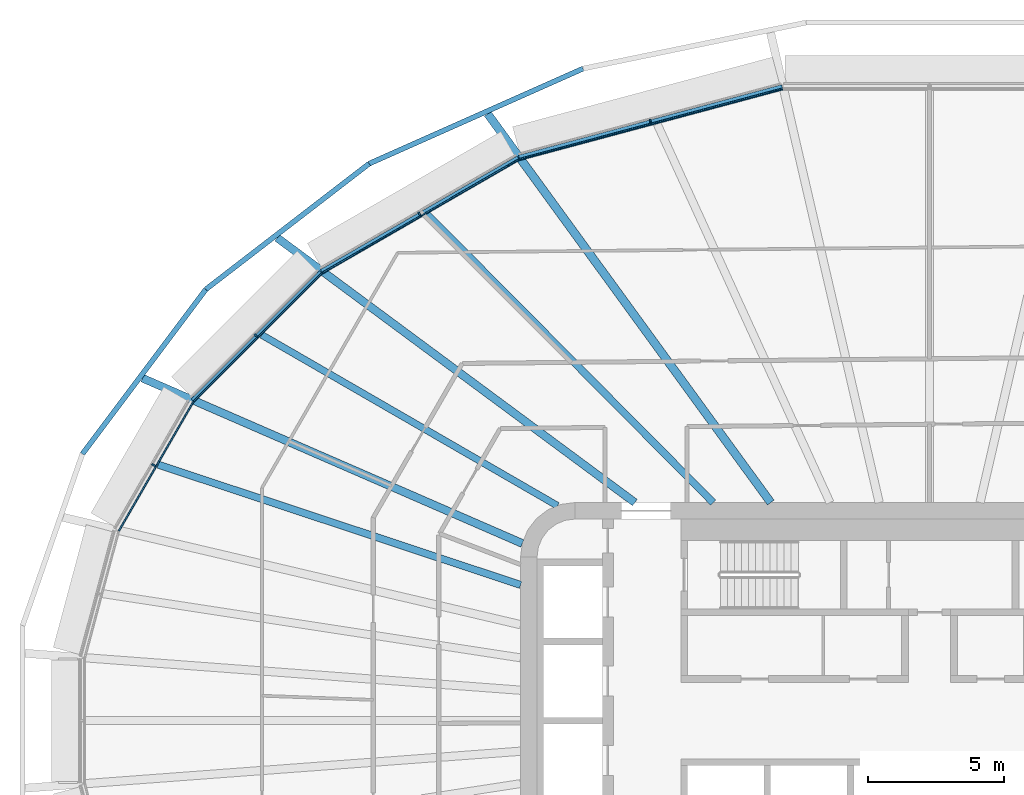
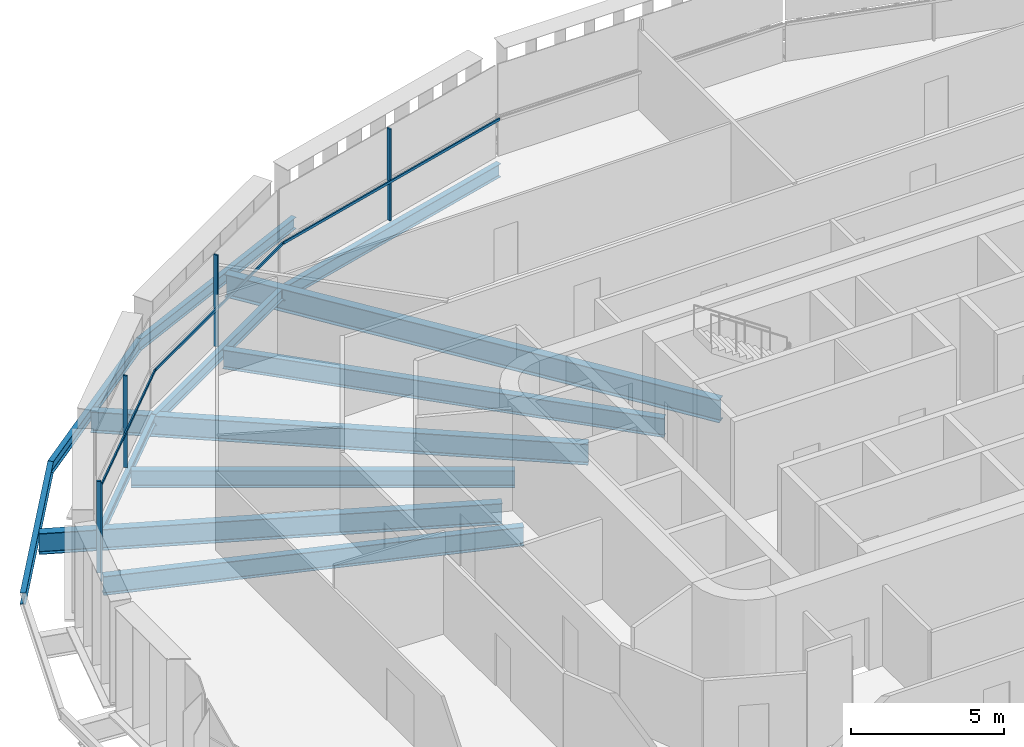
# One storey, part 7 of 24: 12 beams, 8 members, 4 elements without a shape of their own.
"""IFC4 building model written with IfcOpenShell, lengths in metres."""

from ifc_helpers import new_model, si_unit, direction, frame, origin, origin_2d, place, context, subcontext, project, spatial, rectangle, i_section, extrude, material, layer, layer_set, material_profile, profile_set, type_object, element, aggregate, save


model = new_model("IFC4")

# Units and contexts
model_context = context("Model", 3, precision=1e-05, world=origin(), true_north=direction((0.0, 1.0)))
body_context = subcontext(model_context, "Body", "Model", "MODEL_VIEW")
ifc_project = project(units=[si_unit("LENGTHUNIT", "METRE"), si_unit("AREAUNIT", "SQUARE_METRE"), si_unit("VOLUMEUNIT", "CUBIC_METRE"), si_unit("PLANEANGLEUNIT", "RADIAN"), si_unit("MASSUNIT", "GRAM", prefix="KILO")], contexts=[model_context])

# Site, building, storey
site_placement = place(None, origin())
site = spatial("IfcSite", under=ifc_project, at=site_placement, CompositionType="ELEMENT")
building_placement = place(site_placement, origin())
building = spatial("IfcBuilding", under=site, at=building_placement, Name="Sahrelin Media Tower", CompositionType="ELEMENT")
storey_placement = place(building_placement, frame((0.0, 0.0, 71.39990234375)))
storey = spatial("IfcBuildingStorey", under=building, at=storey_placement, Name="L12", CompositionType="ELEMENT", Elevation=71.39990234375)

# Beams
ifc_material_1 = material(Name="Steel S355", Category="steel")
ifc_material_profile_1 = material_profile(ifc_material_1, i_section(OverallWidth=0.17138671875, OverallDepth=0.35498046875, WebThickness=0.00732421875, FlangeThickness=0.011474609375, FilletRadius=0.01025390625, at=origin_2d()), Name="UB 356x171x51")
ifc_profile_set_1 = profile_set([ifc_material_profile_1], Name="Steel S355")
beam_type_1 = type_object("IfcBeamType", Name="Edge beam EB3", PredefinedType="BEAM", material=ifc_profile_set_1)
beam_1_placement = place(storey_placement, frame((-27.02001953125, 11.734130859375, -0.327392578125), z_axis=(0.707106781187, 0.707106781187, 0.0), x_axis=(-0.707106781187, 0.707106781187, 0.0)))
element("IfcBeam", 1, at=beam_1_placement, inside=storey, type_object=beam_type_1, Name="Edge beam L12-15", PredefinedType="BEAM", context=body_context, shape_type="SweptSolid", body=[
    extrude(i_section(OverallWidth=0.17138671875, OverallDepth=0.35498046875, WebThickness=0.00732421875, FlangeThickness=0.011474609375, FilletRadius=0.01025390625, at=origin_2d()), origin(), (0.0, 0.0, 1.0), 6.66015625),
])
ifc_material_profile_2 = material_profile(ifc_material_1, i_section(OverallWidth=0.1904296875, OverallDepth=0.45703125, WebThickness=0.009033203125, FlangeThickness=0.014404296875, FilletRadius=0.01025390625, at=origin_2d()), Name="UB 457x191x74")
ifc_profile_set_2 = profile_set([ifc_material_profile_2], Name="Steel S355")
beam_type_2 = type_object("IfcBeamType", Name="Edge beam EB5", PredefinedType="BEAM", material=ifc_profile_set_2)
beam_2_placement = place(storey_placement, frame((-22.28759765625, 16.461181640625, -0.37841796875), z_axis=(0.866018055373, 0.500012727605, 0.0), x_axis=(-0.500012727605, 0.866018055373, 0.0)))
element("IfcBeam", 2, at=beam_2_placement, inside=storey, type_object=beam_type_2, Name="Edge beam L12-16", PredefinedType="BEAM", context=body_context, shape_type="SweptSolid", body=[
    extrude(i_section(OverallWidth=0.1904296875, OverallDepth=0.45703125, WebThickness=0.009033203125, FlangeThickness=0.014404296875, FilletRadius=0.01025390625, at=origin_2d()), origin(), (0.0, 0.0, 1.0), 8.323974609375),
])
ifc_material_profile_3 = material_profile(ifc_material_1, i_section(OverallWidth=0.208740234375, OverallDepth=0.5283203125, WebThickness=0.009521484375, FlangeThickness=0.01318359375, FilletRadius=0.0126953125, at=origin_2d()), Name="UB 533x210x82")
ifc_profile_set_3 = profile_set([ifc_material_profile_3], Name="Steel S355")
beam_type_3 = type_object("IfcBeamType", Name="Edge beam EB6", PredefinedType="BEAM", material=ifc_profile_set_3)
beam_3_placement = place(storey_placement, frame((-15.05224609375, 20.63427734375, -0.4140625), z_axis=(0.965930606835, 0.258801203202, 0.0), x_axis=(-0.258801203202, 0.965930606835, 0.0)))
element("IfcBeam", 3, at=beam_3_placement, inside=storey, type_object=beam_type_3, Name="Edge beam L12-17", PredefinedType="BEAM", context=body_context, shape_type="SweptSolid", body=[
    extrude(i_section(OverallWidth=0.208740234375, OverallDepth=0.5283203125, WebThickness=0.009521484375, FlangeThickness=0.01318359375, FilletRadius=0.0126953125, at=origin_2d()), origin(), (0.0, 0.0, 1.0), 9.994873046875),
])

# Curtain wall, member
ifc_material_2 = material(Name="Champagne anodised aluminium 6063-T6", Category="aluminium")
ifc_layer = layer(ifc_material_2, 0.14990234375)
ifc_layer_set = layer_set([ifc_layer], Name="Tower ribbon curtain wall")
curtain_wall_type = type_object("IfcCurtainWallType", Name="Tower ribbon curtain wall", PredefinedType="NOTDEFINED", material=ifc_layer_set)
curtain_wall_1_placement = place(storey_placement, frame((-10.263916015625, 22.072509765625, 0.0), z_axis=(0.0, 0.0, 1.0), x_axis=(1.0, 0.0, 0.0)))
curtain_wall_1 = element("IfcCurtainWall", 4, at=curtain_wall_1_placement, inside=storey, type_object=curtain_wall_type, Name="L12:CW:L12-07", PredefinedType="NOTDEFINED")
ifc_material_profile_4 = material_profile(ifc_material_2, rectangle(XDim=0.06005859375, YDim=0.14990234375, at=origin_2d()), Name="Mullion 60x150")
ifc_profile_set_4 = profile_set([ifc_material_profile_4], Name="Champagne anodised aluminium 6063-T6")
member_type_1 = type_object("IfcMemberType", Name="Mullion 60x150 CW1", PredefinedType="MULLION", material=ifc_profile_set_4)
member_1_placement = place(storey_placement, frame((-10.239501953125, 21.980712890625, 0.0), z_axis=(0.0, 0.0, 1.0), x_axis=(-0.965925826289, -0.258819045103, 0.0)))
member_1 = element("IfcMember", 5, at=member_1_placement, type_object=member_type_1, Name="L12:CWM:L12-07", PredefinedType="MULLION", context=body_context, shape_type="SweptSolid", body=[
    extrude(rectangle(XDim=0.06005859375, YDim=0.14990234375, at=origin_2d()), origin(), (0.0, 0.0, 1.0), 3.648681640625),
])

curtain_wall_2_placement = place(storey_placement, frame((-18.75830078125, 18.672119140625, 0.0), z_axis=(0.0, 0.0, 1.0), x_axis=(1.0, 0.0, 0.0)))
curtain_wall_2 = element("IfcCurtainWall", 6, at=curtain_wall_2_placement, inside=storey, type_object=curtain_wall_type, Name="L12:CW:L12-08", PredefinedType="NOTDEFINED")
member_2_placement = place(storey_placement, frame((-18.710693359375, 18.58984375, 0.0), z_axis=(0.0, 0.0, 1.0), x_axis=(-0.866027149108, -0.499996976998, 0.0)))
member_2 = element("IfcMember", 7, at=member_2_placement, type_object=member_type_1, Name="L12:CWM:L12-08", PredefinedType="MULLION", context=body_context, shape_type="SweptSolid", body=[
    extrude(rectangle(XDim=0.06005859375, YDim=0.14990234375, at=origin_2d()), origin(), (0.0, 0.0, 1.0), 3.648681640625),
])

curtain_wall_3_placement = place(storey_placement, frame((-24.771240234375, 14.19482421875, 0.0), z_axis=(0.0, 0.0, 1.0), x_axis=(1.0, 0.0, 0.0)))
curtain_wall_3 = element("IfcCurtainWall", 8, at=curtain_wall_3_placement, inside=storey, type_object=curtain_wall_type, Name="L12:CW:L12-09", PredefinedType="NOTDEFINED")
member_3_placement = place(storey_placement, frame((-24.7041015625, 14.127685546875, 0.0), z_axis=(0.0, 0.0, 1.0), x_axis=(-0.707106781187, -0.707106781187, 0.0)))
member_3 = element("IfcMember", 9, at=member_3_placement, type_object=member_type_1, Name="L12:CWM:L12-09", PredefinedType="MULLION", context=body_context, shape_type="SweptSolid", body=[
    extrude(rectangle(XDim=0.06005859375, YDim=0.14990234375, at=origin_2d()), origin(), (0.0, 0.0, 1.0), 3.648681640625),
])

curtain_wall_4_placement = place(storey_placement, frame((-28.5341796875, 9.4189453125, 0.0), z_axis=(0.0, 0.0, 1.0), x_axis=(1.0, 0.0, 0.0)))
curtain_wall_4 = element("IfcCurtainWall", 10, at=curtain_wall_4_placement, inside=storey, type_object=curtain_wall_type, Name="L12:CW:L12-10", PredefinedType="NOTDEFINED")
member_4_placement = place(storey_placement, frame((-28.451904296875, 9.37158203125, 0.0), z_axis=(0.0, 0.0, 1.0), x_axis=(-0.5, -0.866025403784, 0.0)))
member_4 = element("IfcMember", 11, at=member_4_placement, type_object=member_type_1, Name="L12:CWM:L12-10", PredefinedType="MULLION", context=body_context, shape_type="SweptSolid", body=[
    extrude(rectangle(XDim=0.06005859375, YDim=0.14990234375, at=origin_2d()), origin(), (0.0, 0.0, 1.0), 3.648681640625),
])

# Beams
ifc_material_profile_5 = material_profile(ifc_material_1, i_section(OverallWidth=0.291748046875, OverallDepth=0.8349609375, WebThickness=0.013916015625, FlangeThickness=0.018798828125, FilletRadius=0.017822265625, at=origin_2d()), Name="UB 838x292x176")
ifc_profile_set_5 = profile_set([ifc_material_profile_5], Name="Steel S355")
beam_type_4 = type_object("IfcBeamType", Name="Radial primary beam PB10", PredefinedType="BEAM", material=ifc_profile_set_5)
beam_4_placement = place(storey_placement, frame((-10.808349609375, 8.0, -0.5673828125), z_axis=(-0.803782665278, 0.594923042922, 0.0), x_axis=(-0.594923042922, -0.803782665278, 0.0)))
element("IfcBeam", 12, at=beam_4_placement, inside=storey, type_object=beam_type_4, Name="Radial beam L12-09", PredefinedType="BEAM", context=body_context, shape_type="SweptSolid", body=[
    extrude(i_section(OverallWidth=0.291748046875, OverallDepth=0.8349609375, WebThickness=0.013916015625, FlangeThickness=0.018798828125, FilletRadius=0.017822265625, at=origin_2d()), origin(), (0.0, 0.0, 1.0), 16.3193359375),
])
beam_5_placement = place(storey_placement, frame((-14.934326171875, 6.49951171875, -0.5673828125), z_axis=(-0.916931758114, 0.399044046394, 0.0), x_axis=(-0.399044046394, -0.916931758114, 0.0)))
element("IfcBeam", 13, at=beam_5_placement, inside=storey, type_object=beam_type_4, Name="Radial beam L12-10", PredefinedType="BEAM", context=body_context, shape_type="SweptSolid", body=[
    extrude(i_section(OverallWidth=0.291748046875, OverallDepth=0.8349609375, WebThickness=0.013916015625, FlangeThickness=0.018798828125, FilletRadius=0.017822265625, at=origin_2d()), origin(), (0.0, 0.0, 1.0), 15.189453125),
])
ifc_material_profile_6 = material_profile(ifc_material_1, i_section(OverallWidth=0.30322265625, OverallDepth=0.903076171875, WebThickness=0.01513671875, FlangeThickness=0.020263671875, FilletRadius=0.01904296875, at=origin_2d()), Name="UB 914x305x201")
ifc_profile_set_6 = profile_set([ifc_material_profile_6], Name="Steel S355")
beam_type_5 = type_object("IfcBeamType", Name="Radial primary beam PB11", PredefinedType="BEAM", material=ifc_profile_set_6)
beam_6_placement = place(storey_placement, frame((-5.8251953125, 8.0, -0.601318359375), z_axis=(-0.588648282878, 0.808389262091, 0.0), x_axis=(-0.808389262091, -0.588648282878, 0.0)))
element("IfcBeam", 14, at=beam_6_placement, inside=storey, type_object=beam_type_5, Name="Radial beam L12-08", PredefinedType="BEAM", context=body_context, shape_type="SweptSolid", body=[
    extrude(i_section(OverallWidth=0.30322265625, OverallDepth=0.903076171875, WebThickness=0.01513671875, FlangeThickness=0.020263671875, FilletRadius=0.01904296875, at=origin_2d()), origin(), (0.0, 0.0, 1.0), 17.632080078125),
])
ifc_material_profile_7 = material_profile(ifc_material_1, i_section(OverallWidth=0.2529296875, OverallDepth=0.677978515625, WebThickness=0.01171875, FlangeThickness=0.01611328125, FilletRadius=0.01513671875, at=origin_2d()), Name="UB 686x254x125")
ifc_profile_set_7 = profile_set([ifc_material_profile_7], Name="Steel S355")
beam_type_6 = type_object("IfcBeamType", Name="Radial secondary beam SB8", PredefinedType="BEAM", material=ifc_profile_set_7)
beam_7_placement = place(storey_placement, frame((-13.64208984375, 7.88037109375, -0.48876953125), z_axis=(-0.865904098404, 0.500210048246, 0.0), x_axis=(-0.500210048246, -0.865904098404, 0.0)))
element("IfcBeam", 15, at=beam_7_placement, inside=storey, type_object=beam_type_6, Name="Secondary beam L12-06", PredefinedType="BEAM", context=body_context, shape_type="SweptSolid", body=[
    extrude(i_section(OverallWidth=0.2529296875, OverallDepth=0.677978515625, WebThickness=0.01171875, FlangeThickness=0.01611328125, FilletRadius=0.01513671875, at=origin_2d()), origin(), (0.0, 0.0, 1.0), 12.52490234375),
])
ifc_material_profile_8 = material_profile(ifc_material_1, i_section(OverallWidth=0.26513671875, OverallDepth=0.75390625, WebThickness=0.0126953125, FlangeThickness=0.017578125, FilletRadius=0.0166015625, at=origin_2d()), Name="UB 762x267x147")
ifc_profile_set_8 = profile_set([ifc_material_profile_8], Name="Steel S355")
beam_type_7 = type_object("IfcBeamType", Name="Radial secondary beam SB9", PredefinedType="BEAM", material=ifc_profile_set_8)
beam_8_placement = place(storey_placement, frame((-7.93798828125, 8.0, -0.52685546875), z_axis=(-0.704340460364, 0.709862321788, 0.0), x_axis=(-0.709862321788, -0.704340460364, 0.0)))
element("IfcBeam", 16, at=beam_8_placement, inside=storey, type_object=beam_type_7, Name="Secondary beam L12-05", PredefinedType="BEAM", context=body_context, shape_type="SweptSolid", body=[
    extrude(i_section(OverallWidth=0.26513671875, OverallDepth=0.75390625, WebThickness=0.0126953125, FlangeThickness=0.017578125, FilletRadius=0.0166015625, at=origin_2d()), origin(), (0.0, 0.0, 1.0), 14.89990234375),
])
beam_9_placement = place(storey_placement, frame((-15.0, 4.979248046875, -0.52685546875), z_axis=(-0.949075049876, 0.315050074912, 0.0), x_axis=(-0.315050074912, -0.949075049876, 0.0)))
element("IfcBeam", 17, at=beam_9_placement, inside=storey, type_object=beam_type_7, Name="Secondary beam L12-07", PredefinedType="BEAM", context=body_context, shape_type="SweptSolid", body=[
    extrude(i_section(OverallWidth=0.26513671875, OverallDepth=0.75390625, WebThickness=0.0126953125, FlangeThickness=0.017578125, FilletRadius=0.0166015625, at=origin_2d()), origin(), (0.0, 0.0, 1.0), 13.995849609375),
])
ifc_material_profile_9 = material_profile(ifc_material_1, i_section(OverallWidth=0.1904296875, OverallDepth=0.45703125, WebThickness=0.009033203125, FlangeThickness=0.014404296875, FilletRadius=0.01025390625, at=origin_2d()), Name="UB 457x191x74")
ifc_profile_set_9 = profile_set([ifc_material_profile_9], Name="Steel S355")
beam_type_8 = type_object("IfcBeamType", Name="Tie chord TC5", PredefinedType="BEAM", material=ifc_profile_set_9)
beam_10_placement = place(storey_placement, frame((-12.70654296875, 23.912109375, -0.37841796875), z_axis=(-0.913836174684, -0.406083052884, 0.0), x_axis=(0.406083052884, -0.913836174684, 0.0)))
element("IfcBeam", 18, at=beam_10_placement, inside=storey, type_object=beam_type_8, Name="Tie chord L12-08", PredefinedType="BEAM", context=body_context, shape_type="SweptSolid", body=[
    extrude(i_section(OverallWidth=0.1904296875, OverallDepth=0.45703125, WebThickness=0.009033203125, FlangeThickness=0.014404296875, FilletRadius=0.01025390625, at=origin_2d()), origin(), (0.0, 0.0, 1.0), 8.584716796875),
])
beam_11_placement = place(storey_placement, frame((-20.551513671875, 20.426025390625, -0.37841796875), z_axis=(-0.79243291887, -0.609959071652, 0.0), x_axis=(0.609959071652, -0.79243291887, 0.0)))
element("IfcBeam", 19, at=beam_11_placement, inside=storey, type_object=beam_type_8, Name="Tie chord L12-09", PredefinedType="BEAM", context=body_context, shape_type="SweptSolid", body=[
    extrude(i_section(OverallWidth=0.1904296875, OverallDepth=0.45703125, WebThickness=0.009033203125, FlangeThickness=0.014404296875, FilletRadius=0.01025390625, at=origin_2d()), origin(), (0.0, 0.0, 1.0), 7.553955078125),
])
beam_12_placement = place(storey_placement, frame((-26.53759765625, 15.818359375, -0.37841796875), z_axis=(-0.60006210035, -0.799953420971, 0.0), x_axis=(0.799953420971, -0.60006210035, 0.0)))
element("IfcBeam", 20, at=beam_12_placement, inside=storey, type_object=beam_type_8, Name="Tie chord L12-10", PredefinedType="BEAM", context=body_context, shape_type="SweptSolid", body=[
    extrude(i_section(OverallWidth=0.1904296875, OverallDepth=0.45703125, WebThickness=0.009033203125, FlangeThickness=0.014404296875, FilletRadius=0.01025390625, at=origin_2d()), origin(), (0.0, 0.0, 1.0), 7.548095703125),
])

# Member
ifc_material_profile_10 = material_profile(ifc_material_2, rectangle(XDim=0.050048828125, YDim=0.10009765625, at=origin_2d()), Name="Transom 50x100")
ifc_profile_set_10 = profile_set([ifc_material_profile_10], Name="Champagne anodised aluminium 6063-T6")
member_type_2 = type_object("IfcMemberType", Name="Transom 50x100 CW1", PredefinedType="USERDEFINED", material=ifc_profile_set_10)
member_5_placement = place(storey_placement, frame((-5.401611328125, 23.173583984375, 1.60009765625), z_axis=(-0.9659214719, -0.258835295357, 0.0), x_axis=(0.258835295357, -0.9659214719, 0.0)))
member_5 = element("IfcMember", 21, at=member_5_placement, type_object=member_type_2, Name="L12:CWT:L12-07", ObjectType="TRANSOM", PredefinedType="USERDEFINED", context=body_context, shape_type="SweptSolid", body=[
    extrude(rectangle(XDim=0.050048828125, YDim=0.10009765625, at=origin_2d()), origin(), (0.0, 0.0, 1.0), 9.96337890625),
])

aggregate(curtain_wall_1, [member_1, member_5])

member_6_placement = place(storey_placement, frame((-15.070068359375, 20.576416015625, 1.60009765625), z_axis=(-0.866022320763, -0.500005339912, 0.0), x_axis=(0.500005339912, -0.866022320763, 0.0)))
member_6 = element("IfcMember", 22, at=member_6_placement, type_object=member_type_2, Name="L12:CWT:L12-08", ObjectType="TRANSOM", PredefinedType="USERDEFINED", context=body_context, shape_type="SweptSolid", body=[
    extrude(rectangle(XDim=0.050048828125, YDim=0.10009765625, at=origin_2d()), origin(), (0.0, 0.0, 1.0), 8.29248046875),
])

aggregate(curtain_wall_2, [member_2, member_6])

member_7_placement = place(storey_placement, frame((-22.289794921875, 16.40087890625, 1.60009765625), z_axis=(-0.707106781187, -0.707106781187, 0.0), x_axis=(0.707106781187, -0.707106781187, 0.0)))
member_7 = element("IfcMember", 23, at=member_7_placement, type_object=member_type_2, Name="L12:CWT:L12-09", ObjectType="TRANSOM", PredefinedType="USERDEFINED", context=body_context, shape_type="SweptSolid", body=[
    extrude(rectangle(XDim=0.050048828125, YDim=0.10009765625, at=origin_2d()), origin(), (0.0, 0.0, 1.0), 6.629150390625),
])

aggregate(curtain_wall_3, [member_3, member_7])

member_8_placement = place(storey_placement, frame((-27.006591796875, 11.675048828125, 1.60009765625), z_axis=(-0.499989448911, -0.866031495373, 0.0), x_axis=(0.866031495373, -0.499989448911, 0.0)))
member_8 = element("IfcMember", 24, at=member_8_placement, type_object=member_type_2, Name="L12:CWT:L12-10", ObjectType="TRANSOM", PredefinedType="USERDEFINED", context=body_context, shape_type="SweptSolid", body=[
    extrude(rectangle(XDim=0.050048828125, YDim=0.10009765625, at=origin_2d()), origin(), (0.0, 0.0, 1.0), 5.43505859375),
])

aggregate(curtain_wall_4, [member_4, member_8])

save(model, "model.ifc")
